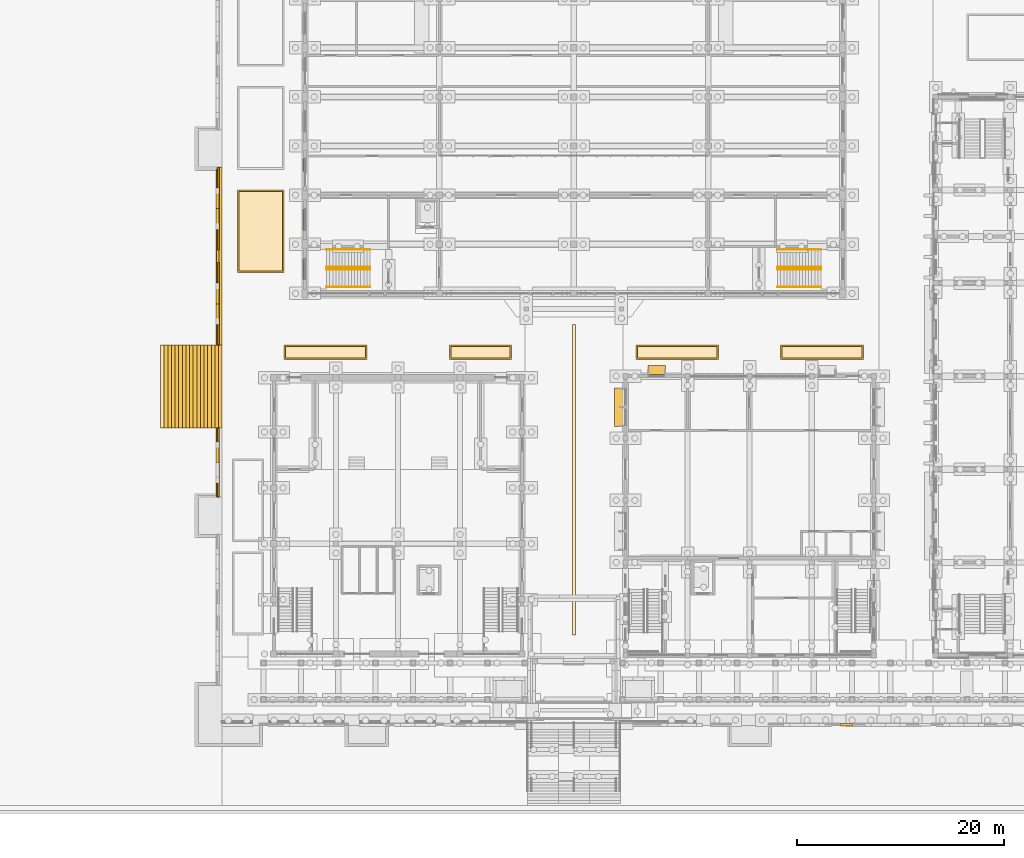
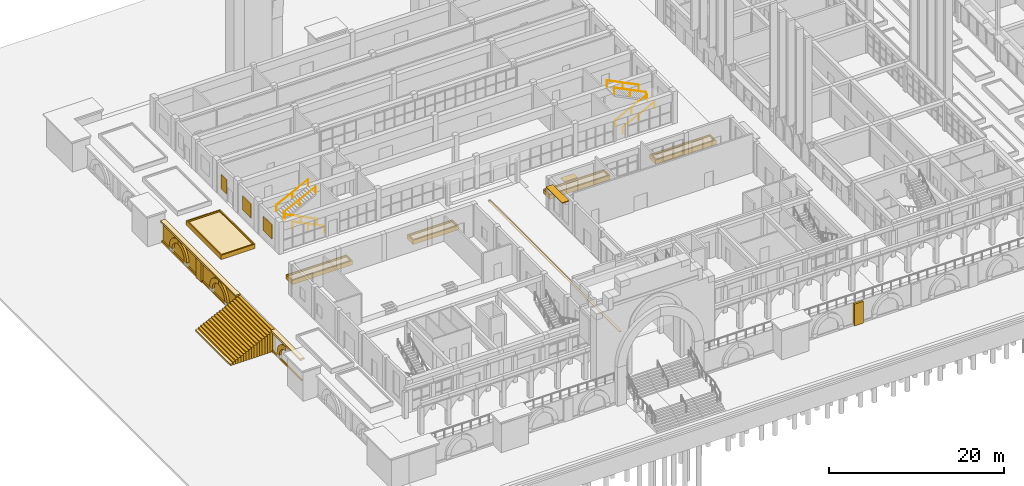
# One storey, part 92 of 161: 41 coverings, 8 railings, 5 shading devices.
"""IFC4 building model written with IfcOpenShell, lengths in metres."""

from ifc_helpers import new_model, si_unit, direction, frame, origin, origin_2d, place, context, subcontext, project, spatial, polyline, rectangle, circle, outline, extrude, material, layer, layer_set, type_object, element, save


model = new_model("IFC4")

# Units and contexts
model_context = context("Model", 3, precision=1e-05, world=origin(), true_north=direction((0.0, 1.0)))
body_context = subcontext(model_context, "Body", "Model", "MODEL_VIEW")
ifc_project = project(units=[si_unit("LENGTHUNIT", "METRE"), si_unit("AREAUNIT", "SQUARE_METRE"), si_unit("VOLUMEUNIT", "CUBIC_METRE"), si_unit("PLANEANGLEUNIT", "RADIAN"), si_unit("MASSUNIT", "GRAM", prefix="KILO")], contexts=[model_context])

# Site, building, storey
site_placement = place(None, origin())
site = spatial("IfcSite", under=ifc_project, at=site_placement, CompositionType="ELEMENT")
building_placement = place(site_placement, origin())
building = spatial("IfcBuilding", under=site, at=building_placement, Name="Elbe Cascade School", CompositionType="ELEMENT")
storey_placement = place(building_placement, origin())
storey = spatial("IfcBuildingStorey", under=building, at=storey_placement, Name="L00", CompositionType="ELEMENT", Elevation=0.0)

# Shading devices
ifc_material_1 = material(Name="Precast concrete C30/37", Category="concrete")
ifc_layer_1 = layer(ifc_material_1, 0.1201171875)
ifc_layer_set_1 = layer_set([ifc_layer_1], Name="Precast concrete C30/37")
shading_device_type_1 = type_object("IfcShadingDeviceType", Name="Dining chhajja eave 900", PredefinedType="USERDEFINED", material=ifc_layer_set_1)
shading_device_1_placement = place(storey_placement, frame((0.0, 0.0, 4.050048828125)))
element("IfcShadingDevice", 1, at=shading_device_1_placement, inside=storey, type_object=shading_device_type_1, Name="Dining chhajja eave 900 SD15", ObjectType="CHHAJJA", PredefinedType="USERDEFINED", context=body_context, shape_type="SweptSolid", body=[
    extrude(outline(polyline([(37.949951171875, 28.14990234375), (38.85009765625, 28.14990234375), (38.85009765625, 31.85009765625), (37.949951171875, 31.85009765625), (37.949951171875, 28.14990234375)])), origin(), (0.0, 0.0, 1.0), 0.119873046875),
])
shading_device_2_placement = place(storey_placement, frame((0.0, 0.0, 2.85009765625)))
element("IfcShadingDevice", 2, at=shading_device_2_placement, inside=storey, type_object=shading_device_type_1, Name="Dining chhajja eave 900 SD15", ObjectType="CHHAJJA", PredefinedType="USERDEFINED", context=body_context, shape_type="SweptSolid", body=[
    extrude(outline(polyline([(41.14990234375, 33.14990234375), (42.85009765625, 33.14990234375), (42.85009765625, 34.050048828125), (41.14990234375, 34.050048828125), (41.14990234375, 33.14990234375)])), origin(), (0.0, 0.0, 1.0), 0.119873046875),
])

# Coverings
ifc_material_2 = material(Name="Sandstone - red", Category="masonry")
ifc_layer_2 = layer(ifc_material_2, 0.35009765625)
ifc_layer_set_2 = layer_set([ifc_layer_2], Name="Sandstone - red")
covering_type_1 = type_object("IfcCoveringType", Name="Ghat step 350x170", PredefinedType="CLADDING", material=ifc_layer_set_2)
covering_1_placement = place(storey_placement, frame((0.0, 0.0, -3.10009765625)))
element("IfcCovering", 3, at=covering_1_placement, inside=storey, type_object=covering_type_1, Name="Ghat step west 1.1", PredefinedType="CLADDING", context=body_context, shape_type="SweptSolid", body=[
    extrude(outline(polyline([(-0.35009765625, 28.0), (0.0, 28.0), (0.0, 36.0), (-0.35009765625, 36.0), (-0.35009765625, 28.0)])), origin(), (0.0, 0.0, 1.0), 2.93017578125),
])
covering_2_placement = place(storey_placement, frame((0.0, 0.0, -3.10009765625)))
element("IfcCovering", 4, at=covering_2_placement, inside=storey, type_object=covering_type_1, Name="Ghat step west 1.2", PredefinedType="CLADDING", context=body_context, shape_type="SweptSolid", body=[
    extrude(outline(polyline([(-0.699951171875, 28.0), (-0.35009765625, 28.0), (-0.35009765625, 36.0), (-0.699951171875, 36.0), (-0.699951171875, 28.0)])), origin(), (0.0, 0.0, 1.0), 2.760009765625),
])
covering_3_placement = place(storey_placement, frame((0.0, 0.0, -3.10009765625)))
element("IfcCovering", 5, at=covering_3_placement, inside=storey, type_object=covering_type_1, Name="Ghat step west 1.3", PredefinedType="CLADDING", context=body_context, shape_type="SweptSolid", body=[
    extrude(outline(polyline([(-1.050048828125, 28.0), (-0.699951171875, 28.0), (-0.699951171875, 36.0), (-1.050048828125, 36.0), (-1.050048828125, 28.0)])), origin(), (0.0, 0.0, 1.0), 2.590087890625),
])
covering_4_placement = place(storey_placement, frame((0.0, 0.0, -3.10009765625)))
element("IfcCovering", 6, at=covering_4_placement, inside=storey, type_object=covering_type_1, Name="Ghat step west 1.4", PredefinedType="CLADDING", context=body_context, shape_type="SweptSolid", body=[
    extrude(outline(polyline([(-1.39990234375, 28.0), (-1.050048828125, 28.0), (-1.050048828125, 36.0), (-1.39990234375, 36.0), (-1.39990234375, 28.0)])), origin(), (0.0, 0.0, 1.0), 2.420166015625),
])
covering_5_placement = place(storey_placement, frame((0.0, 0.0, -3.10009765625)))
element("IfcCovering", 7, at=covering_5_placement, inside=storey, type_object=covering_type_1, Name="Ghat step west 1.5", PredefinedType="CLADDING", context=body_context, shape_type="SweptSolid", body=[
    extrude(outline(polyline([(-1.75, 28.0), (-1.39990234375, 28.0), (-1.39990234375, 36.0), (-1.75, 36.0), (-1.75, 28.0)])), origin(), (0.0, 0.0, 1.0), 2.25),
])
covering_6_placement = place(storey_placement, frame((0.0, 0.0, -3.10009765625)))
element("IfcCovering", 8, at=covering_6_placement, inside=storey, type_object=covering_type_1, Name="Ghat step west 1.6", PredefinedType="CLADDING", context=body_context, shape_type="SweptSolid", body=[
    extrude(outline(polyline([(-2.10009765625, 28.0), (-1.75, 28.0), (-1.75, 36.0), (-2.10009765625, 36.0), (-2.10009765625, 28.0)])), origin(), (0.0, 0.0, 1.0), 2.080078125),
])
covering_7_placement = place(storey_placement, frame((0.0, 0.0, -3.10009765625)))
element("IfcCovering", 9, at=covering_7_placement, inside=storey, type_object=covering_type_1, Name="Ghat step west 1.7", PredefinedType="CLADDING", context=body_context, shape_type="SweptSolid", body=[
    extrude(outline(polyline([(-2.449951171875, 28.0), (-2.10009765625, 28.0), (-2.10009765625, 36.0), (-2.449951171875, 36.0), (-2.449951171875, 28.0)])), origin(), (0.0, 0.0, 1.0), 1.91015625),
])
covering_8_placement = place(storey_placement, frame((0.0, 0.0, -3.10009765625)))
element("IfcCovering", 10, at=covering_8_placement, inside=storey, type_object=covering_type_1, Name="Ghat step west 1.8", PredefinedType="CLADDING", context=body_context, shape_type="SweptSolid", body=[
    extrude(outline(polyline([(-2.800048828125, 28.0), (-2.449951171875, 28.0), (-2.449951171875, 36.0), (-2.800048828125, 36.0), (-2.800048828125, 28.0)])), origin(), (0.0, 0.0, 1.0), 1.739990234375),
])
covering_9_placement = place(storey_placement, frame((0.0, 0.0, -3.10009765625)))
element("IfcCovering", 11, at=covering_9_placement, inside=storey, type_object=covering_type_1, Name="Ghat step west 1.9", PredefinedType="CLADDING", context=body_context, shape_type="SweptSolid", body=[
    extrude(outline(polyline([(-3.14990234375, 28.0), (-2.800048828125, 28.0), (-2.800048828125, 36.0), (-3.14990234375, 36.0), (-3.14990234375, 28.0)])), origin(), (0.0, 0.0, 1.0), 1.570068359375),
])
covering_10_placement = place(storey_placement, frame((0.0, 0.0, -3.10009765625)))
element("IfcCovering", 12, at=covering_10_placement, inside=storey, type_object=covering_type_1, Name="Ghat step west 1.10", PredefinedType="CLADDING", context=body_context, shape_type="SweptSolid", body=[
    extrude(outline(polyline([(-3.5, 28.0), (-3.14990234375, 28.0), (-3.14990234375, 36.0), (-3.5, 36.0), (-3.5, 28.0)])), origin(), (0.0, 0.0, 1.0), 1.400146484375),
])
covering_11_placement = place(storey_placement, frame((0.0, 0.0, -3.10009765625)))
element("IfcCovering", 13, at=covering_11_placement, inside=storey, type_object=covering_type_1, Name="Ghat step west 1.11", PredefinedType="CLADDING", context=body_context, shape_type="SweptSolid", body=[
    extrude(outline(polyline([(-3.85009765625, 28.0), (-3.5, 28.0), (-3.5, 36.0), (-3.85009765625, 36.0), (-3.85009765625, 28.0)])), origin(), (0.0, 0.0, 1.0), 1.22998046875),
])
covering_12_placement = place(storey_placement, frame((0.0, 0.0, -3.10009765625)))
element("IfcCovering", 14, at=covering_12_placement, inside=storey, type_object=covering_type_1, Name="Ghat step west 1.12", PredefinedType="CLADDING", context=body_context, shape_type="SweptSolid", body=[
    extrude(outline(polyline([(-4.199951171875, 28.0), (-3.85009765625, 28.0), (-3.85009765625, 36.0), (-4.199951171875, 36.0), (-4.199951171875, 28.0)])), origin(), (0.0, 0.0, 1.0), 1.06005859375),
])
covering_13_placement = place(storey_placement, frame((0.0, 0.0, -3.10009765625)))
element("IfcCovering", 15, at=covering_13_placement, inside=storey, type_object=covering_type_1, Name="Ghat step west 1.13", PredefinedType="CLADDING", context=body_context, shape_type="SweptSolid", body=[
    extrude(outline(polyline([(-4.550048828125, 28.0), (-4.199951171875, 28.0), (-4.199951171875, 36.0), (-4.550048828125, 36.0), (-4.550048828125, 28.0)])), origin(), (0.0, 0.0, 1.0), 0.89013671875),
])
covering_14_placement = place(storey_placement, frame((0.0, 0.0, -3.10009765625)))
element("IfcCovering", 16, at=covering_14_placement, inside=storey, type_object=covering_type_1, Name="Ghat step west 1.14", PredefinedType="CLADDING", context=body_context, shape_type="SweptSolid", body=[
    extrude(outline(polyline([(-4.89990234375, 28.0), (-4.550048828125, 28.0), (-4.550048828125, 36.0), (-4.89990234375, 36.0), (-4.89990234375, 28.0)])), origin(), (0.0, 0.0, 1.0), 0.72021484375),
])
covering_15_placement = place(storey_placement, frame((0.0, 0.0, -3.10009765625)))
element("IfcCovering", 17, at=covering_15_placement, inside=storey, type_object=covering_type_1, Name="Ghat step west 1.15", PredefinedType="CLADDING", context=body_context, shape_type="SweptSolid", body=[
    extrude(outline(polyline([(-5.25, 28.0), (-4.89990234375, 28.0), (-4.89990234375, 36.0), (-5.25, 36.0), (-5.25, 28.0)])), origin(), (0.0, 0.0, 1.0), 0.550048828125),
])
covering_16_placement = place(storey_placement, frame((0.0, 0.0, -3.10009765625)))
element("IfcCovering", 18, at=covering_16_placement, inside=storey, type_object=covering_type_1, Name="Ghat step west 1.16", PredefinedType="CLADDING", context=body_context, shape_type="SweptSolid", body=[
    extrude(outline(polyline([(-5.60009765625, 28.0), (-5.25, 28.0), (-5.25, 36.0), (-5.60009765625, 36.0), (-5.60009765625, 28.0)])), origin(), (0.0, 0.0, 1.0), 0.380126953125),
])
covering_17_placement = place(storey_placement, frame((0.0, 0.0, -3.10009765625)))
element("IfcCovering", 19, at=covering_17_placement, inside=storey, type_object=covering_type_1, Name="Ghat step west 1.17", PredefinedType="CLADDING", context=body_context, shape_type="SweptSolid", body=[
    extrude(outline(polyline([(-5.949951171875, 28.0), (-5.60009765625, 28.0), (-5.60009765625, 36.0), (-5.949951171875, 36.0), (-5.949951171875, 28.0)])), origin(), (0.0, 0.0, 1.0), 0.210205078125),
])

# Shading devices
ifc_material_3 = material(Name="Precast concrete - pierced screen C30/37", Category="concrete")
shading_device_type_2 = type_object("IfcShadingDeviceType", Name="Hall jali screen 1200x2000 base window", PredefinedType="USERDEFINED", material=ifc_material_3)
shading_device_3_placement = place(storey_placement, frame((7.909912109375, 53.39990234375, 1.0), z_axis=(0.0, 0.0, 1.0), x_axis=(1.0, 0.0, 0.0)))
element("IfcShadingDevice", 20, at=shading_device_3_placement, inside=storey, type_object=shading_device_type_2, Name="Jali screen W3", ObjectType="JALI", PredefinedType="USERDEFINED", context=body_context, shape_type="SweptSolid", body=[
    extrude(rectangle(XDim=0.1201171875, YDim=1.199951171875, at=origin_2d()), origin(), (0.0, 0.0, 1.0), 2.0),
])
ifc_material_4 = material(Name="Precast concrete - pierced screen C30/37", Category="concrete")
shading_device_type_3 = type_object("IfcShadingDeviceType", Name="Hall jali screen 2000x2000 base window", PredefinedType="USERDEFINED", material=ifc_material_4)
for number, where, z_axis, x_axis, name in (
    (21, (7.909912109375, 43.375, 1.0), (0.0, 0.0, 1.0), (1.0, 0.0, 0.0), "Jali screen W1"),
    (22, (7.909912109375, 48.125, 1.0), (0.0, 0.0, 1.0), (1.0, 0.0, 0.0), "Jali screen W2"),
):
    element("IfcShadingDevice", number, at=place(storey_placement, frame(where, z_axis=z_axis, x_axis=x_axis)), inside=storey, type_object=shading_device_type_3, Name=name, ObjectType="JALI", PredefinedType="USERDEFINED", context=body_context, shape_type="SweptSolid", body=[
        extrude(rectangle(XDim=0.1201171875, YDim=2.0, at=origin_2d()), origin(), (0.0, 0.0, 1.0), 2.0),
    ])

# Railings
ifc_material_5 = material(Name="Steel - stainless handrail", Category="steel")
railing_type = type_object("IfcRailingType", Name="Hall stair handrail", PredefinedType="HANDRAIL", material=ifc_material_5)
for number, where, name in (
    (23, (14.300048828125, 41.610107421875, 0.14990234375), "Handrail W"),
    (24, (14.300048828125, 43.2900390625, 0.14990234375), "Handrail W"),
):
    element("IfcRailing", number, at=place(storey_placement, frame(where)), inside=storey, type_object=railing_type, Name=name, PredefinedType="HANDRAIL", context=body_context, shape_type="SweptSolid", body=[
        extrude(circle(Radius=0.02490234375, at=origin_2d()), frame((0.0, 0.0, 0.875), z_axis=(-0.894416792377, 0.0, 0.447234392142), x_axis=(0.0, -1.0, 0.0)), (0.0, 0.0, 1.0), 4.69580078125),
        extrude(circle(Radius=0.02001953125, at=origin_2d()), origin(), (0.0, 0.0, 1.0), 0.849853515625),
        extrude(circle(Radius=0.02001953125, at=origin_2d()), frame((-2.10009765625, 0.0, 1.050048828125)), (0.0, 0.0, 1.0), 0.849853515625),
        extrude(circle(Radius=0.02001953125, at=origin_2d()), frame((-4.199951171875, 0.0, 2.10009765625)), (0.0, 0.0, 1.0), 0.849853515625),
    ])
for number, where, name in (
    (25, (10.10009765625, 43.56005859375, 2.39990234375), "Handrail W"),
    (26, (10.10009765625, 45.239990234375, 2.39990234375), "Handrail W"),
    (27, (53.699951171875, 41.610107421875, 0.14990234375), "Handrail E"),
    (28, (53.699951171875, 43.2900390625, 0.14990234375), "Handrail E"),
):
    element("IfcRailing", number, at=place(storey_placement, frame(where)), inside=storey, type_object=railing_type, Name=name, PredefinedType="HANDRAIL", context=body_context, shape_type="SweptSolid", body=[
        extrude(circle(Radius=0.02490234375, at=origin_2d()), frame((0.0, 0.0, 0.875), z_axis=(0.894416792377, 0.0, 0.447234392142), x_axis=(0.0, 1.0, 0.0)), (0.0, 0.0, 1.0), 4.69580078125),
        extrude(circle(Radius=0.02001953125, at=origin_2d()), origin(), (0.0, 0.0, 1.0), 0.849853515625),
        extrude(circle(Radius=0.02001953125, at=origin_2d()), frame((2.10009765625, 0.0, 1.050048828125)), (0.0, 0.0, 1.0), 0.849853515625),
        extrude(circle(Radius=0.02001953125, at=origin_2d()), frame((4.199951171875, 0.0, 2.10009765625)), (0.0, 0.0, 1.0), 0.849853515625),
    ])
for number, where, name in (
    (29, (57.89990234375, 43.56005859375, 2.39990234375), "Handrail E"),
    (30, (57.89990234375, 45.239990234375, 2.39990234375), "Handrail E"),
):
    element("IfcRailing", number, at=place(storey_placement, frame(where)), inside=storey, type_object=railing_type, Name=name, PredefinedType="HANDRAIL", context=body_context, shape_type="SweptSolid", body=[
        extrude(circle(Radius=0.02490234375, at=origin_2d()), frame((0.0, 0.0, 0.875), z_axis=(-0.894416792377, 0.0, 0.447234392142), x_axis=(0.0, -1.0, 0.0)), (0.0, 0.0, 1.0), 4.69580078125),
        extrude(circle(Radius=0.02001953125, at=origin_2d()), origin(), (0.0, 0.0, 1.0), 0.849853515625),
        extrude(circle(Radius=0.02001953125, at=origin_2d()), frame((-2.10009765625, 0.0, 1.050048828125)), (0.0, 0.0, 1.0), 0.849853515625),
        extrude(circle(Radius=0.02001953125, at=origin_2d()), frame((-4.199951171875, 0.0, 2.10009765625)), (0.0, 0.0, 1.0), 0.849853515625),
    ])

# Coverings
ifc_material_6 = material(Name="Sandstone - red", Category="masonry")
ifc_layer_3 = layer(ifc_material_6, 0.14990234375)
ifc_layer_set_3 = layer_set([ifc_layer_3], Name="Sandstone - red")
covering_type_2 = type_object("IfcCoveringType", Name="Plinth base course 150x250", PredefinedType="CLADDING", material=ifc_layer_set_3)
covering_18_placement = place(storey_placement, frame((0.0, 0.0, -3.10009765625)))
element("IfcCovering", 31, at=covering_18_placement, inside=storey, type_object=covering_type_2, Name="Plinth base course west 0.2.1", PredefinedType="CLADDING", context=body_context, shape_type="SweptSolid", body=[
    extrude(outline(polyline([(-0.449951171875, 21.300048828125), (-0.300048828125, 21.300048828125), (-0.300048828125, 28.0), (-0.449951171875, 28.0), (-0.449951171875, 21.300048828125)])), origin(), (0.0, 0.0, 1.0), 0.25),
])
covering_19_placement = place(storey_placement, frame((0.0, 0.0, -3.10009765625)))
element("IfcCovering", 32, at=covering_19_placement, inside=storey, type_object=covering_type_2, Name="Plinth base course west 0.3.1", PredefinedType="CLADDING", context=body_context, shape_type="SweptSolid", body=[
    extrude(outline(polyline([(-0.449951171875, 36.0), (-0.300048828125, 36.0), (-0.300048828125, 44.0), (-0.449951171875, 44.0), (-0.449951171875, 36.0)])), origin(), (0.0, 0.0, 1.0), 0.25),
])
covering_20_placement = place(storey_placement, frame((0.0, 0.0, -3.10009765625)))
element("IfcCovering", 33, at=covering_20_placement, inside=storey, type_object=covering_type_2, Name="Plinth base course west 0.3.2", PredefinedType="CLADDING", context=body_context, shape_type="SweptSolid", body=[
    extrude(outline(polyline([(-0.449951171875, 45.199951171875), (-0.300048828125, 45.199951171875), (-0.300048828125, 53.199951171875), (-0.449951171875, 53.199951171875), (-0.449951171875, 45.199951171875)])), origin(), (0.0, 0.0, 1.0), 0.25),
])
ifc_material_7 = material(Name="Sandstone - red", Category="masonry")
ifc_layer_4 = layer(ifc_material_7, 0.25)
ifc_layer_set_4 = layer_set([ifc_layer_4], Name="Sandstone - red")
covering_type_3 = type_object("IfcCoveringType", Name="Plinth coping 600x250", PredefinedType="CLADDING", material=ifc_layer_set_4)
covering_21_placement = place(storey_placement, frame((0.0, 0.0, -0.25)))
element("IfcCovering", 34, at=covering_21_placement, inside=storey, type_object=covering_type_3, Name="Plinth coping west 2", PredefinedType="CLADDING", context=body_context, shape_type="SweptSolid", body=[
    extrude(outline(polyline([(-0.60009765625, 21.300048828125), (0.0, 21.300048828125), (0.0, 28.0), (-0.60009765625, 28.0), (-0.60009765625, 21.300048828125)])), origin(), (0.0, 0.0, 1.0), 0.25),
])
covering_22_placement = place(storey_placement, frame((0.0, 0.0, -0.25)))
element("IfcCovering", 35, at=covering_22_placement, inside=storey, type_object=covering_type_3, Name="Plinth coping west 3", PredefinedType="CLADDING", context=body_context, shape_type="SweptSolid", body=[
    extrude(outline(polyline([(-0.60009765625, 36.0), (0.0, 36.0), (0.0, 53.199951171875), (-0.60009765625, 53.199951171875), (-0.60009765625, 36.0)])), origin(), (0.0, 0.0, 1.0), 0.25),
])
ifc_material_8 = material(Name="Sandstone - red", Category="masonry")
ifc_layer_5 = layer(ifc_material_8, 0.300048828125)
ifc_layer_set_5 = layer_set([ifc_layer_5], Name="Sandstone - red")
covering_type_4 = type_object("IfcCoveringType", Name="Plinth facing 300", PredefinedType="CLADDING", material=ifc_layer_set_5)
covering_23_placement = place(storey_placement, frame((0.0, 0.0, -3.10009765625)))
element("IfcCovering", 36, at=covering_23_placement, inside=storey, type_object=covering_type_4, Name="Plinth facing west 3", PredefinedType="CLADDING", context=body_context, shape_type="SweptSolid", body=[
    extrude(outline(polyline([(-0.300048828125, 36.0), (0.0, 36.0), (0.0, 53.199951171875), (-0.300048828125, 53.199951171875), (-0.300048828125, 36.0)])), origin(), (0.0, 0.0, 1.0), 2.85009765625),
])
ifc_material_9 = material(Name="Sandstone - red", Category="masonry")
ifc_layer_6 = layer(ifc_material_9, 0.300048828125)
ifc_layer_set_6 = layer_set([ifc_layer_6], Name="Sandstone - red")
covering_type_5 = type_object("IfcCoveringType", Name="Plinth niche arch band 600x300", PredefinedType="CLADDING", material=ifc_layer_set_6)
covering_24_placement = place(storey_placement, frame((-0.60009765625, 26.64990234375, -2.35009765625), z_axis=(-1.0, 0.0, 0.0), x_axis=(0.0, -1.0, 0.0)))
element("IfcCovering", 37, at=covering_24_placement, inside=storey, type_object=covering_type_5, Name="Plinth niche arch band west 0.2.1a", PredefinedType="CLADDING", context=body_context, shape_type="SweptSolid", body=[
    extrude(outline(polyline([(0.0, 0.0), (0.599853515625, 0.0), (0.616943359375, 0.221923828125), (0.667724609375, 0.438720703125), (0.751220703125, 0.64501953125), (0.864990234375, 0.83642578125), (1.007080078125, 1.0078125), (1.173583984375, 1.15576171875), (1.360595703125, 1.2763671875), (1.56396484375, 1.366943359375), (1.77880859375, 1.42529296875), (2.0, 1.4501953125), (2.0, 2.05029296875), (1.684814453125, 2.01806640625), (1.37841796875, 1.9375), (1.088134765625, 1.81103515625), (0.82080078125, 1.64111328125), (0.582763671875, 1.43212890625), (0.379638671875, 1.189208984375), (0.216552734375, 0.91748046875), (0.09716796875, 0.624267578125), (0.0244140625, 0.31591796875), (0.0, 0.0)])), origin(), (0.0, 0.0, -1.0), 0.300048828125),
])
covering_25_placement = place(storey_placement, frame((-0.60009765625, 42.0, -2.35009765625), z_axis=(-1.0, 0.0, 0.0), x_axis=(0.0, -1.0, 0.0)))
element("IfcCovering", 38, at=covering_25_placement, inside=storey, type_object=covering_type_5, Name="Plinth niche arch band west 0.3.1a", PredefinedType="CLADDING", context=body_context, shape_type="SweptSolid", body=[
    extrude(outline(polyline([(0.0, 0.0), (0.60009765625, 0.0), (0.6171875, 0.221923828125), (0.66796875, 0.438720703125), (0.751220703125, 0.64501953125), (0.865234375, 0.83642578125), (1.007080078125, 1.0078125), (1.173583984375, 1.15576171875), (1.360595703125, 1.2763671875), (1.56396484375, 1.366943359375), (1.77880859375, 1.42529296875), (2.0, 1.4501953125), (2.0, 2.05029296875), (1.684814453125, 2.01806640625), (1.37841796875, 1.9375), (1.088134765625, 1.81103515625), (0.82080078125, 1.64111328125), (0.582763671875, 1.43212890625), (0.3798828125, 1.189208984375), (0.216796875, 0.91748046875), (0.097412109375, 0.624267578125), (0.0244140625, 0.31591796875), (0.0, 0.0)])), origin(), (0.0, 0.0, -1.0), 0.300048828125),
])
covering_26_placement = place(storey_placement, frame((-0.60009765625, 38.0244140625, -2.0341796875), z_axis=(-1.0, 0.0, 0.0), x_axis=(0.0, 0.230370389833, 0.973103017922)))
element("IfcCovering", 39, at=covering_26_placement, inside=storey, type_object=covering_type_5, Name="Plinth niche arch band west 0.3.1b", PredefinedType="CLADDING", context=body_context, shape_type="SweptSolid", body=[
    extrude(outline(polyline([(0.0, 0.0), (0.31687252397341076, 0.0), (0.6297015877312577, 0.04862610780633542), (0.9316915973394285, 0.14472732169500946), (1.2148154490930958, 0.2861897411309222), (1.473015476785429, 0.46968055870342257), (1.6999528003548228, 0.6906790971069348), (1.8898887761347143, 0.9440208027650488), (2.038872866748509, 1.2236160319757423), (2.1428420492777027, 1.522899993079024), (1.558885208933074, 1.6611447240869763), (1.4836967125911875, 1.4516394617641843), (1.37742289317322, 1.2560163825158634), (1.2424327187641548, 1.0789833260459185), (1.0819892105939604, 0.9247855869954477), (0.8996618095377079, 0.7968432525266855), (0.7002078263653932, 0.6982951959470896), (0.4876844528052212, 0.6314424801900893), (0.2677556556673356, 0.5979548948134422), (0.04509146597014914, 0.5984830877928479), (-0.17480027489389646, 0.6329775880622152), (-0.3130450059018489, 0.0490207477175865), (0.0, 0.0)])), origin(), (0.0, 0.0, -1.0), 0.300048828125),
])
covering_27_placement = place(storey_placement, frame((-0.60009765625, 51.199951171875, -2.35009765625), z_axis=(-1.0, 0.0, 0.0), x_axis=(0.0, -1.0, 0.0)))
element("IfcCovering", 40, at=covering_27_placement, inside=storey, type_object=covering_type_5, Name="Plinth niche arch band west 0.3.2a", PredefinedType="CLADDING", context=body_context, shape_type="SweptSolid", body=[
    extrude(outline(polyline([(0.0, 0.0), (0.599853515625, 0.0), (0.616943359375, 0.221923828125), (0.66796875, 0.438720703125), (0.751220703125, 0.64501953125), (0.865234375, 0.83642578125), (1.007080078125, 1.0078125), (1.173583984375, 1.15576171875), (1.360595703125, 1.2763671875), (1.56396484375, 1.366943359375), (1.77880859375, 1.42529296875), (2.0, 1.4501953125), (2.0, 2.05029296875), (1.684814453125, 2.01806640625), (1.37841796875, 1.9375), (1.088134765625, 1.81103515625), (0.82080078125, 1.64111328125), (0.582763671875, 1.43212890625), (0.379638671875, 1.189208984375), (0.216552734375, 0.91748046875), (0.09716796875, 0.624267578125), (0.0244140625, 0.31591796875), (0.0, 0.0)])), origin(), (0.0, 0.0, -1.0), 0.300048828125),
])
covering_28_placement = place(storey_placement, frame((-0.60009765625, 47.224609375, -2.0341796875), z_axis=(-1.0, 0.0, 0.0), x_axis=(0.0, 0.229640615433, 0.973275494268)))
element("IfcCovering", 41, at=covering_28_placement, inside=storey, type_object=covering_type_5, Name="Plinth niche arch band west 0.3.2b", PredefinedType="CLADDING", context=body_context, shape_type="SweptSolid", body=[
    extrude(outline(polyline([(0.0, 0.0), (0.31681637027835047, 0.0), (0.6296088823787412, 0.04886067811575373), (0.9315267427864806, 0.14518832098545423), (1.2145444352234966, 0.28686300931093206), (1.4726067943887962, 0.47054739410121904), (1.6993783319645008, 0.6917160459280074), (1.8891803432917578, 0.9454377254653902), (2.037954729394572, 1.2251445961231031), (2.1416433912969475, 1.5242688213108815), (1.5575830483008861, 1.66207561641209), (1.4825516767193998, 1.4525140307106628), (1.3764245808426212, 1.2568113139460797), (1.2416232623821883, 1.0799146970257483), (1.0812393643827247, 0.9253590720062276), (0.899007955873922, 0.7972800499997257), (0.6996279279093016, 0.6985824547516934), (0.4872108101606949, 0.6318080070394001), (0.26725112189532263, 0.5979178949791348), (0.04458659872137888, 0.5982791165847868), (-0.17533094702333402, 0.6326087149319284), (-0.3131377421245425, 0.04854837193586718), (0.0, 0.0)])), origin(), (0.0, 0.0, -1.0), 0.300048828125),
])
ifc_material_10 = material(Name="Sandstone - red", Category="masonry")
ifc_layer_7 = layer(ifc_material_10, 0.25)
ifc_layer_set_7 = layer_set([ifc_layer_7], Name="Sandstone - red")
covering_type_6 = type_object("IfcCoveringType", Name="Plinth pilaster 1200x250", PredefinedType="CLADDING", material=ifc_layer_set_7)
covering_29_placement = place(storey_placement, frame((0.0, 0.0, -3.10009765625)))
element("IfcCovering", 42, at=covering_29_placement, inside=storey, type_object=covering_type_6, Name="Plinth pilaster west 0.3.1", PredefinedType="CLADDING", context=body_context, shape_type="SweptSolid", body=[
    extrude(outline(polyline([(-0.550048828125, 44.0), (-0.300048828125, 44.0), (-0.300048828125, 45.199951171875), (-0.550048828125, 45.199951171875), (-0.550048828125, 44.0)])), origin(), (0.0, 0.0, 1.0), 2.85009765625),
])
covering_30_placement = place(storey_placement, frame((0.0, 0.0, -3.10009765625)))
element("IfcCovering", 43, at=covering_30_placement, inside=storey, type_object=covering_type_6, Name="Plinth pilaster south 0.4.1", PredefinedType="CLADDING", context=body_context, shape_type="SweptSolid", body=[
    extrude(outline(polyline([(59.7666015625, -0.81005859375), (60.966552734375, -0.81005859375), (60.966552734375, -0.56005859375), (59.7666015625, -0.56005859375), (59.7666015625, -0.81005859375)])), origin(), (0.0, 0.0, 1.0), 3.050048828125),
])
ifc_material_11 = material(Name="Sandstone - red", Category="masonry")
ifc_layer_8 = layer(ifc_material_11, 0.050048828125)
ifc_layer_set_8 = layer_set([ifc_layer_8], Name="Sandstone - red")
covering_type_7 = type_object("IfcCoveringType", Name="Rill lining 50", PredefinedType="USERDEFINED", material=ifc_layer_set_8)
covering_31_placement = place(storey_placement, frame((0.0, 0.0, -0.199951171875)))
element("IfcCovering", 44, at=covering_31_placement, inside=storey, type_object=covering_type_7, Name="Water rill lining gate court", ObjectType="WATER CHANNEL", PredefinedType="USERDEFINED", context=body_context, shape_type="SweptSolid", body=[
    extrude(outline(polyline([(33.85009765625, 8.0), (34.14990234375, 8.0), (34.14990234375, 38.0), (33.85009765625, 38.0), (33.85009765625, 8.0)])), origin(), (0.0, 0.0, 1.0), 0.050048828125),
])
ifc_material_12 = material(Name="Planting - soil and shrubs", Category="soil")
ifc_layer_9 = layer(ifc_material_12, 0.39990234375)
ifc_layer_set_9 = layer_set([ifc_layer_9], Name="Planting - soil and shrubs")
covering_type_8 = type_object("IfcCoveringType", Name="Site planting bed 400", PredefinedType="USERDEFINED", material=ifc_layer_set_9)
covering_32_placement = place(storey_placement, origin())
element("IfcCovering", 45, at=covering_32_placement, inside=storey, type_object=covering_type_8, Name="Inner court planting bed 1", ObjectType="PLANTING BED", PredefinedType="USERDEFINED", context=body_context, shape_type="SweptSolid", body=[
    extrude(outline(polyline([(6.14990234375, 34.75), (13.85009765625, 34.75), (13.85009765625, 35.85009765625), (6.14990234375, 35.85009765625), (6.14990234375, 34.75)])), origin(), (0.0, 0.0, 1.0), 0.39990234375),
])
covering_33_placement = place(storey_placement, origin())
element("IfcCovering", 46, at=covering_33_placement, inside=storey, type_object=covering_type_8, Name="Inner court planting bed 2", ObjectType="PLANTING BED", PredefinedType="USERDEFINED", context=body_context, shape_type="SweptSolid", body=[
    extrude(outline(polyline([(22.14990234375, 34.75), (27.85009765625, 34.75), (27.85009765625, 35.85009765625), (22.14990234375, 35.85009765625), (22.14990234375, 34.75)])), origin(), (0.0, 0.0, 1.0), 0.39990234375),
])
covering_34_placement = place(storey_placement, origin())
element("IfcCovering", 47, at=covering_34_placement, inside=storey, type_object=covering_type_8, Name="Inner court planting bed 3", ObjectType="PLANTING BED", PredefinedType="USERDEFINED", context=body_context, shape_type="SweptSolid", body=[
    extrude(outline(polyline([(40.14990234375, 34.75), (47.85009765625, 34.75), (47.85009765625, 35.85009765625), (40.14990234375, 35.85009765625), (40.14990234375, 34.75)])), origin(), (0.0, 0.0, 1.0), 0.39990234375),
])
covering_35_placement = place(storey_placement, origin())
element("IfcCovering", 48, at=covering_35_placement, inside=storey, type_object=covering_type_8, Name="Inner court planting bed 4", ObjectType="PLANTING BED", PredefinedType="USERDEFINED", context=body_context, shape_type="SweptSolid", body=[
    extrude(outline(polyline([(54.14990234375, 34.75), (61.85009765625, 34.75), (61.85009765625, 35.85009765625), (54.14990234375, 35.85009765625), (54.14990234375, 34.75)])), origin(), (0.0, 0.0, 1.0), 0.39990234375),
])
covering_36_placement = place(storey_placement, origin())
element("IfcCovering", 49, at=covering_36_placement, inside=storey, type_object=covering_type_8, Name="Deck planting bed west b.1", ObjectType="PLANTING BED", PredefinedType="USERDEFINED", context=body_context, shape_type="SweptSolid", body=[
    extrude(outline(polyline([(1.64990234375, 43.14990234375), (5.85009765625, 43.14990234375), (5.85009765625, 50.85009765625), (1.64990234375, 50.85009765625), (1.64990234375, 43.14990234375)])), origin(), (0.0, 0.0, 1.0), 0.39990234375),
])
ifc_material_13 = material(Name="Concrete C30/37 precast kerb", Category="concrete")
ifc_layer_10 = layer(ifc_material_13, 0.14990234375)
ifc_layer_set_10 = layer_set([ifc_layer_10], Name="Concrete C30/37 precast kerb")
covering_type_9 = type_object("IfcCoveringType", Name="Site planting bed kerb 150x600", PredefinedType="CLADDING", material=ifc_layer_set_10)
covering_37_placement = place(storey_placement, origin())
element("IfcCovering", 50, at=covering_37_placement, inside=storey, type_object=covering_type_9, Name="Inner court planting bed kerb 1", PredefinedType="CLADDING", context=body_context, shape_type="SweptSolid", body=[
    extrude(outline(polyline([(6.0, 34.60009765625), (14.0, 34.60009765625), (14.0, 36.0), (6.0, 36.0), (6.0, 34.60009765625)]), holes=[polyline([(6.14990234375, 34.75), (13.85009765625, 34.75), (13.85009765625, 35.85009765625), (6.14990234375, 35.85009765625), (6.14990234375, 34.75)])]), origin(), (0.0, 0.0, 1.0), 0.60009765625),
])
covering_38_placement = place(storey_placement, origin())
element("IfcCovering", 51, at=covering_38_placement, inside=storey, type_object=covering_type_9, Name="Inner court planting bed kerb 2", PredefinedType="CLADDING", context=body_context, shape_type="SweptSolid", body=[
    extrude(outline(polyline([(22.0, 34.60009765625), (28.0, 34.60009765625), (28.0, 36.0), (22.0, 36.0), (22.0, 34.60009765625)]), holes=[polyline([(22.14990234375, 34.75), (27.85009765625, 34.75), (27.85009765625, 35.85009765625), (22.14990234375, 35.85009765625), (22.14990234375, 34.75)])]), origin(), (0.0, 0.0, 1.0), 0.60009765625),
])
covering_39_placement = place(storey_placement, origin())
element("IfcCovering", 52, at=covering_39_placement, inside=storey, type_object=covering_type_9, Name="Inner court planting bed kerb 3", PredefinedType="CLADDING", context=body_context, shape_type="SweptSolid", body=[
    extrude(outline(polyline([(40.0, 34.60009765625), (48.0, 34.60009765625), (48.0, 36.0), (40.0, 36.0), (40.0, 34.60009765625)]), holes=[polyline([(40.14990234375, 34.75), (47.85009765625, 34.75), (47.85009765625, 35.85009765625), (40.14990234375, 35.85009765625), (40.14990234375, 34.75)])]), origin(), (0.0, 0.0, 1.0), 0.60009765625),
])
covering_40_placement = place(storey_placement, origin())
element("IfcCovering", 53, at=covering_40_placement, inside=storey, type_object=covering_type_9, Name="Inner court planting bed kerb 4", PredefinedType="CLADDING", context=body_context, shape_type="SweptSolid", body=[
    extrude(outline(polyline([(54.0, 34.60009765625), (62.0, 34.60009765625), (62.0, 36.0), (54.0, 36.0), (54.0, 34.60009765625)]), holes=[polyline([(54.14990234375, 34.75), (61.85009765625, 34.75), (61.85009765625, 35.85009765625), (54.14990234375, 35.85009765625), (54.14990234375, 34.75)])]), origin(), (0.0, 0.0, 1.0), 0.60009765625),
])
covering_41_placement = place(storey_placement, origin())
element("IfcCovering", 54, at=covering_41_placement, inside=storey, type_object=covering_type_9, Name="Deck planting bed kerb west b.1", PredefinedType="CLADDING", context=body_context, shape_type="SweptSolid", body=[
    extrude(outline(polyline([(1.5, 43.0), (6.0, 43.0), (6.0, 51.0), (1.5, 51.0), (1.5, 43.0)]), holes=[polyline([(1.64990234375, 43.14990234375), (5.85009765625, 43.14990234375), (5.85009765625, 50.85009765625), (1.64990234375, 50.85009765625), (1.64990234375, 43.14990234375)])]), origin(), (0.0, 0.0, 1.0), 0.60009765625),
])

save(model, "model.ifc")
